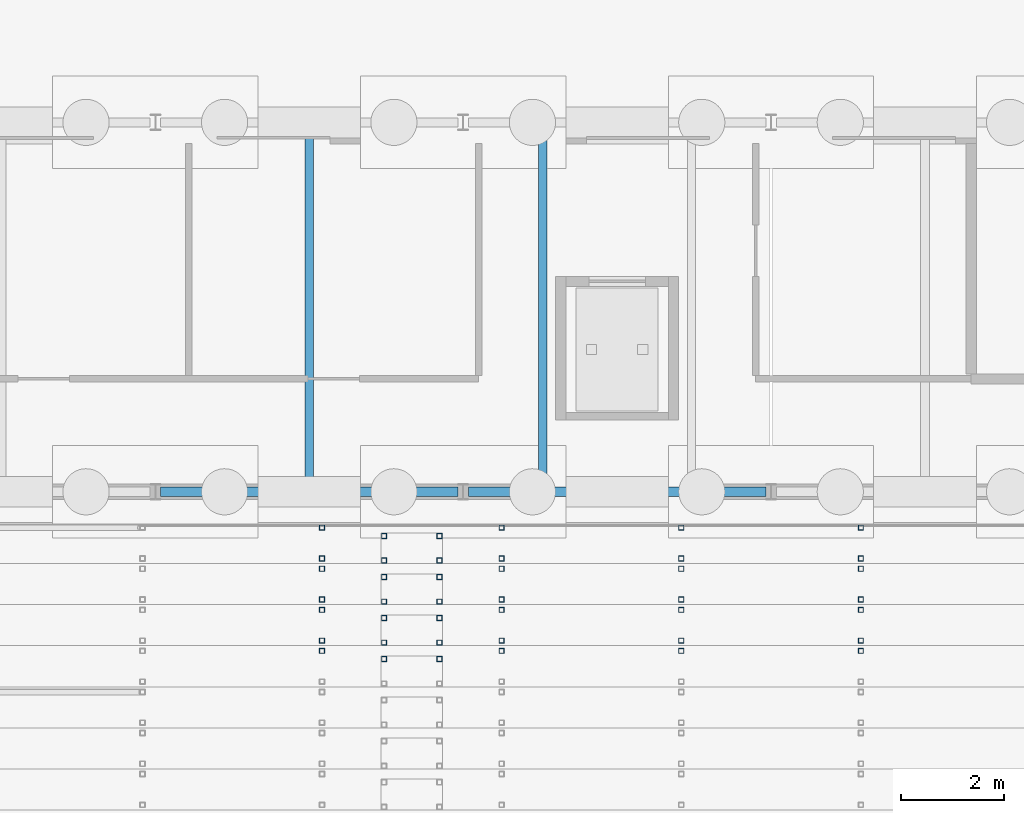
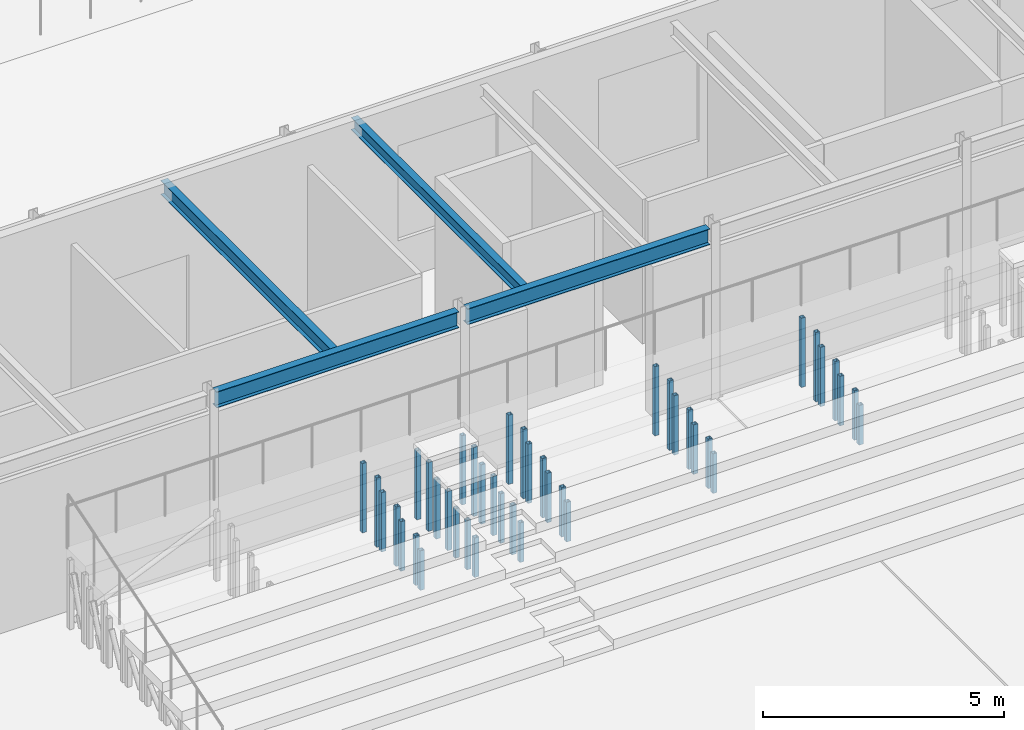
# One storey, part 33 of 139: 42 members, 4 beams.
"""IFC4 building model written with IfcOpenShell, lengths in metres."""

from ifc_helpers import new_model, si_unit, direction, frame, origin, origin_2d, place, context, subcontext, project, spatial, hollow_rectangle, i_section, extrude, material, material_profile, profile_set, type_object, element, save


model = new_model("IFC4")

# Units and contexts
model_context = context("Model", 3, precision=1e-05, world=origin(), true_north=direction((0.0, 1.0)))
body_context = subcontext(model_context, "Body", "Model", "MODEL_VIEW")
ifc_project = project(units=[si_unit("LENGTHUNIT", "METRE"), si_unit("AREAUNIT", "SQUARE_METRE"), si_unit("VOLUMEUNIT", "CUBIC_METRE"), si_unit("PLANEANGLEUNIT", "RADIAN"), si_unit("MASSUNIT", "GRAM", prefix="KILO")], contexts=[model_context])

# Site, building, storey
site_placement = place(None, origin())
site = spatial("IfcSite", under=ifc_project, at=site_placement, CompositionType="ELEMENT")
building_placement = place(site_placement, origin())
building = spatial("IfcBuilding", under=site, at=building_placement, Name="Verrick Yard Athletic Hall", CompositionType="ELEMENT")
storey_placement = place(building_placement, origin())
storey = spatial("IfcBuildingStorey", under=building, at=storey_placement, Name="L00", CompositionType="ELEMENT", Elevation=0.0)

# Beams
ifc_material_1 = material(Name="Structural steel 350W (CSA G40.21)", Category="steel")
ifc_material_profile_1 = material_profile(ifc_material_1, i_section(OverallWidth=0.177978515625, OverallDepth=0.406982421875, WebThickness=0.0078125, FlangeThickness=0.0126953125, at=origin_2d()), Name="W410x60")
ifc_profile_set_1 = profile_set([ifc_material_profile_1], Name="Structural steel 350W (CSA G40.21)")
beam_type_1 = type_object("IfcBeamType", Name="HB girder W410x60", PredefinedType="BEAM", material=ifc_profile_set_1)
for number, where, z_axis, x_axis, name in (
    (1, (40.1025390625, 100.800048828125, 4.04638671875), (1.0, 0.0, 0.0), (0.0, 1.0, 0.0), "HB-GB-B-L01-S3"),
    (2, (46.1025390625, 100.800048828125, 4.04638671875), (1.0, 0.0, 0.0), (0.0, 1.0, 0.0), "HB-GB-B-L01-S4"),
):
    element("IfcBeam", number, at=place(storey_placement, frame(where, z_axis=z_axis, x_axis=x_axis)), inside=storey, type_object=beam_type_1, Name=name, PredefinedType="BEAM", context=body_context, shape_type="SweptSolid", body=[
        extrude(i_section(OverallWidth=0.177978515625, OverallDepth=0.406982421875, WebThickness=0.0078125, FlangeThickness=0.0126953125, at=origin_2d()), origin(), (0.0, 0.0, 1.0), 5.794921875),
    ])

# Members
ifc_material_2 = material(Name="Structural steel HSS Class C 350W (CSA G40.20/G40.21)", Category="steel")
ifc_material_profile_2 = material_profile(ifc_material_2, hollow_rectangle(XDim=0.1015625, YDim=0.1015625, WallThickness=0.00634765625, at=origin_2d()), Name="HSS102x102x6.4")
ifc_profile_set_2 = profile_set([ifc_material_profile_2], Name="Structural steel HSS Class C 350W (CSA G40.20/G40.21)")
member_type = type_object("IfcMemberType", Name="HB seating post HSS102x102x6.4", PredefinedType="POST", material=ifc_profile_set_2)
for number, where, z_axis, x_axis, name in (
    (3, (44.46044921875, 97.5400390625, 0.0), (0.0, 0.0, 1.0), (0.0, 1.0, 0.0), "HB-SP-RSB1-A1S5c"),
    (4, (45.540283203125, 97.5400390625, 0.0), (0.0, 0.0, 1.0), (0.0, 1.0, 0.0), "HB-SP-RSB1-A1S5d"),
    (5, (43.25048828125, 97.699951171875, 0.0), (0.0, 0.0, 1.0), (0.0, 1.0, 0.0), "HB-SP-RSB1-T5b3"),
    (6, (46.750244140625, 97.699951171875, 0.0), (0.0, 0.0, 1.0), (0.0, 1.0, 0.0), "HB-SP-RSB1-T5b4"),
    (7, (50.25, 97.699951171875, 0.0), (0.0, 0.0, 1.0), (0.0, 1.0, 0.0), "HB-SP-RSB1-T5b5"),
    (8, (53.75, 97.699951171875, 0.0), (0.0, 0.0, 1.0), (0.0, 1.0, 0.0), "HB-SP-RSB1-T5b6"),
):
    element("IfcMember", number, at=place(storey_placement, frame(where, z_axis=z_axis, x_axis=x_axis)), inside=storey, type_object=member_type, Name=name, PredefinedType="POST", context=body_context, shape_type="SweptSolid", body=[
        extrude(hollow_rectangle(XDim=0.1015625, YDim=0.1015625, WallThickness=0.00634765625, at=origin_2d()), origin(), (0.0, 0.0, 1.0), 1.0),
    ])
for number, where, z_axis, x_axis, name in (
    (9, (44.46044921875, 97.860107421875, 0.0), (0.0, 0.0, 1.0), (0.0, 1.0, 0.0), "HB-SP-RSB1-A1S6a"),
    (10, (45.540283203125, 97.860107421875, 0.0), (0.0, 0.0, 1.0), (0.0, 1.0, 0.0), "HB-SP-RSB1-A1S6b"),
    (11, (44.46044921875, 98.340087890625, 0.0), (0.0, 0.0, 1.0), (0.0, 1.0, 0.0), "HB-SP-RSB1-A1S6c"),
    (12, (45.540283203125, 98.340087890625, 0.0), (0.0, 0.0, 1.0), (0.0, 1.0, 0.0), "HB-SP-RSB1-A1S6d"),
    (13, (43.25048828125, 97.89990234375, 0.0), (0.0, 0.0, 1.0), (0.0, 1.0, 0.0), "HB-SP-RSB1-T6f3"),
    (14, (46.750244140625, 97.89990234375, 0.0), (0.0, 0.0, 1.0), (0.0, 1.0, 0.0), "HB-SP-RSB1-T6f4"),
    (15, (50.25, 97.89990234375, 0.0), (0.0, 0.0, 1.0), (0.0, 1.0, 0.0), "HB-SP-RSB1-T6f5"),
    (16, (53.75, 97.89990234375, 0.0), (0.0, 0.0, 1.0), (0.0, 1.0, 0.0), "HB-SP-RSB1-T6f6"),
    (17, (43.25048828125, 98.5, 0.0), (0.0, 0.0, 1.0), (0.0, 1.0, 0.0), "HB-SP-RSB1-T6b3"),
    (18, (46.750244140625, 98.5, 0.0), (0.0, 0.0, 1.0), (0.0, 1.0, 0.0), "HB-SP-RSB1-T6b4"),
    (19, (50.25, 98.5, 0.0), (0.0, 0.0, 1.0), (0.0, 1.0, 0.0), "HB-SP-RSB1-T6b5"),
    (20, (53.75, 98.5, 0.0), (0.0, 0.0, 1.0), (0.0, 1.0, 0.0), "HB-SP-RSB1-T6b6"),
):
    element("IfcMember", number, at=place(storey_placement, frame(where, z_axis=z_axis, x_axis=x_axis)), inside=storey, type_object=member_type, Name=name, PredefinedType="POST", context=body_context, shape_type="SweptSolid", body=[
        extrude(hollow_rectangle(XDim=0.1015625, YDim=0.1015625, WallThickness=0.00634765625, at=origin_2d()), origin(), (0.0, 0.0, 1.0), 1.25),
    ])
for number, where, z_axis, x_axis, name in (
    (21, (44.46044921875, 98.659912109375, 0.0), (0.0, 0.0, 1.0), (0.0, 1.0, 0.0), "HB-SP-RSB1-A1S7a"),
    (22, (45.540283203125, 98.659912109375, 0.0), (0.0, 0.0, 1.0), (0.0, 1.0, 0.0), "HB-SP-RSB1-A1S7b"),
    (23, (44.46044921875, 99.139892578125, 0.0), (0.0, 0.0, 1.0), (0.0, 1.0, 0.0), "HB-SP-RSB1-A1S7c"),
    (24, (45.540283203125, 99.139892578125, 0.0), (0.0, 0.0, 1.0), (0.0, 1.0, 0.0), "HB-SP-RSB1-A1S7d"),
    (25, (43.25048828125, 98.699951171875, 0.0), (0.0, 0.0, 1.0), (0.0, 1.0, 0.0), "HB-SP-RSB1-T7f3"),
    (26, (46.750244140625, 98.699951171875, 0.0), (0.0, 0.0, 1.0), (0.0, 1.0, 0.0), "HB-SP-RSB1-T7f4"),
    (27, (50.25, 98.699951171875, 0.0), (0.0, 0.0, 1.0), (0.0, 1.0, 0.0), "HB-SP-RSB1-T7f5"),
    (28, (53.75, 98.699951171875, 0.0), (0.0, 0.0, 1.0), (0.0, 1.0, 0.0), "HB-SP-RSB1-T7f6"),
    (29, (43.25048828125, 99.300048828125, 0.0), (0.0, 0.0, 1.0), (0.0, 1.0, 0.0), "HB-SP-RSB1-T7b3"),
    (30, (46.750244140625, 99.300048828125, 0.0), (0.0, 0.0, 1.0), (0.0, 1.0, 0.0), "HB-SP-RSB1-T7b4"),
    (31, (50.25, 99.300048828125, 0.0), (0.0, 0.0, 1.0), (0.0, 1.0, 0.0), "HB-SP-RSB1-T7b5"),
    (32, (53.75, 99.300048828125, 0.0), (0.0, 0.0, 1.0), (0.0, 1.0, 0.0), "HB-SP-RSB1-T7b6"),
):
    element("IfcMember", number, at=place(storey_placement, frame(where, z_axis=z_axis, x_axis=x_axis)), inside=storey, type_object=member_type, Name=name, PredefinedType="POST", context=body_context, shape_type="SweptSolid", body=[
        extrude(hollow_rectangle(XDim=0.1015625, YDim=0.1015625, WallThickness=0.00634765625, at=origin_2d()), origin(), (0.0, 0.0, 1.0), 1.5),
    ])
for number, where, z_axis, x_axis, name in (
    (33, (44.46044921875, 99.4599609375, 0.0), (0.0, 0.0, 1.0), (0.0, 1.0, 0.0), "HB-SP-RSB1-A1S8a"),
    (34, (45.540283203125, 99.4599609375, 0.0), (0.0, 0.0, 1.0), (0.0, 1.0, 0.0), "HB-SP-RSB1-A1S8b"),
    (35, (44.46044921875, 99.93994140625, 0.0), (0.0, 0.0, 1.0), (0.0, 1.0, 0.0), "HB-SP-RSB1-A1S8c"),
    (36, (45.540283203125, 99.93994140625, 0.0), (0.0, 0.0, 1.0), (0.0, 1.0, 0.0), "HB-SP-RSB1-A1S8d"),
    (37, (43.25048828125, 99.5, 0.0), (0.0, 0.0, 1.0), (0.0, 1.0, 0.0), "HB-SP-RSB1-T8f3"),
    (38, (46.750244140625, 99.5, 0.0), (0.0, 0.0, 1.0), (0.0, 1.0, 0.0), "HB-SP-RSB1-T8f4"),
    (39, (50.25, 99.5, 0.0), (0.0, 0.0, 1.0), (0.0, 1.0, 0.0), "HB-SP-RSB1-T8f5"),
    (40, (53.75, 99.5, 0.0), (0.0, 0.0, 1.0), (0.0, 1.0, 0.0), "HB-SP-RSB1-T8f6"),
    (41, (43.25048828125, 100.10009765625, 0.0), (0.0, 0.0, 1.0), (0.0, 1.0, 0.0), "HB-SP-RSB1-T8b3"),
    (42, (46.750244140625, 100.10009765625, 0.0), (0.0, 0.0, 1.0), (0.0, 1.0, 0.0), "HB-SP-RSB1-T8b4"),
    (43, (50.25, 100.10009765625, 0.0), (0.0, 0.0, 1.0), (0.0, 1.0, 0.0), "HB-SP-RSB1-T8b5"),
    (44, (53.75, 100.10009765625, 0.0), (0.0, 0.0, 1.0), (0.0, 1.0, 0.0), "HB-SP-RSB1-T8b6"),
):
    element("IfcMember", number, at=place(storey_placement, frame(where, z_axis=z_axis, x_axis=x_axis)), inside=storey, type_object=member_type, Name=name, PredefinedType="POST", context=body_context, shape_type="SweptSolid", body=[
        extrude(hollow_rectangle(XDim=0.1015625, YDim=0.1015625, WallThickness=0.00634765625, at=origin_2d()), origin(), (0.0, 0.0, 1.0), 1.75),
    ])

# Beams
ifc_material_profile_3 = material_profile(ifc_material_1, i_section(OverallWidth=0.1708984375, OverallDepth=0.35498046875, WebThickness=0.007080078125, FlangeThickness=0.01171875, at=origin_2d()), Name="W360x51")
ifc_profile_set_3 = profile_set([ifc_material_profile_3], Name="Structural steel 350W (CSA G40.21)")
beam_type_2 = type_object("IfcBeamType", Name="HB secondary beam W360x51", PredefinedType="JOIST", material=ifc_profile_set_3)
beam_1_placement = place(storey_placement, frame((43.0, 100.888916015625, 4.072509765625), z_axis=(0.0, 1.0, 0.0), x_axis=(-1.0, 0.0, 0.0)))
element("IfcBeam", 45, at=beam_1_placement, inside=storey, type_object=beam_type_2, Name="HB-SB-B-L01-3", PredefinedType="JOIST", context=body_context, shape_type="SweptSolid", body=[
    extrude(i_section(OverallWidth=0.1708984375, OverallDepth=0.35498046875, WebThickness=0.007080078125, FlangeThickness=0.01171875, at=origin_2d()), origin(), (0.0, 0.0, 1.0), 7.02197265625),
])
ifc_material_profile_4 = material_profile(ifc_material_1, i_section(OverallWidth=0.1650390625, OverallDepth=0.31005859375, WebThickness=0.005859375, FlangeThickness=0.009765625, at=origin_2d()), Name="W310x39")
ifc_profile_set_4 = profile_set([ifc_material_profile_4], Name="Structural steel 350W (CSA G40.21)")
beam_type_3 = type_object("IfcBeamType", Name="HB trimmer beam W310x39", PredefinedType="BEAM", material=ifc_profile_set_4)
beam_2_placement = place(storey_placement, frame((47.550048828125, 100.888916015625, 4.094970703125), z_axis=(0.0, 1.0, 0.0), x_axis=(-1.0, 0.0, 0.0)))
element("IfcBeam", 46, at=beam_2_placement, inside=storey, type_object=beam_type_3, Name="HB-TB-B-3a", PredefinedType="BEAM", context=body_context, shape_type="SweptSolid", body=[
    extrude(i_section(OverallWidth=0.1650390625, OverallDepth=0.31005859375, WebThickness=0.005859375, FlangeThickness=0.009765625, at=origin_2d()), origin(), (0.0, 0.0, 1.0), 7.02197265625),
])

save(model, "model.ifc")
